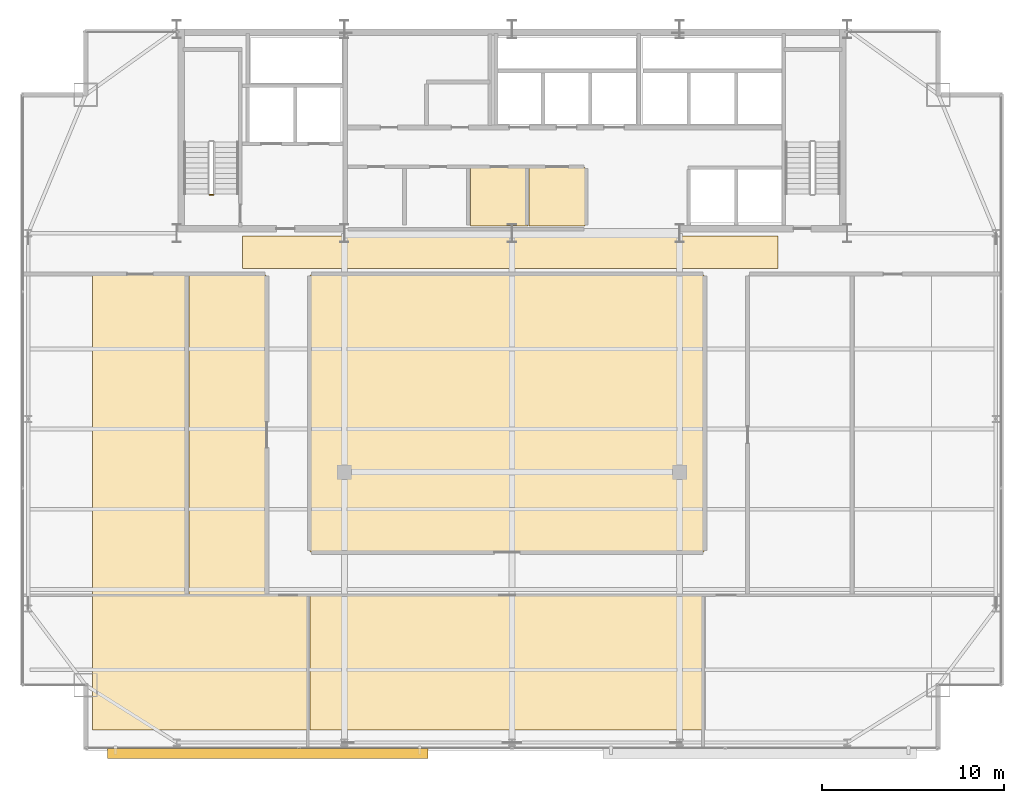
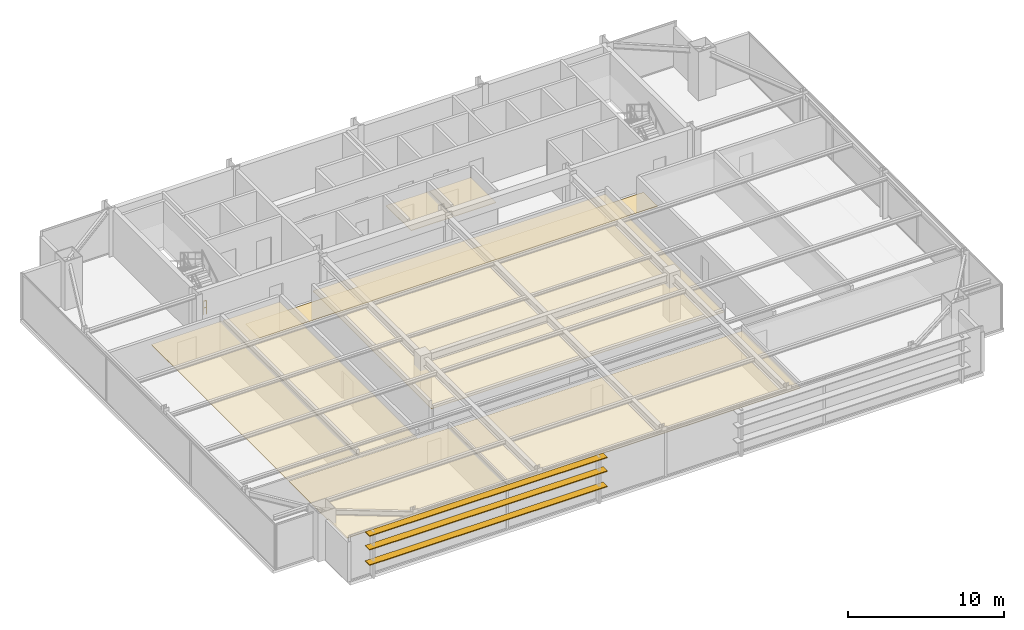
# One storey, part 28 of 29: 8 coverings, 3 shading devices, 1 railing.
"""IFC4 building model written with IfcOpenShell, lengths in metres."""

from ifc_helpers import new_model, si_unit, direction, frame, origin, origin_2d, place, context, subcontext, project, spatial, polyline, rectangle, outline, extrude, source, transform, mapped, material, layer, layer_set, type_object, type_shapes, element, save


model = new_model("IFC4")

# Units and contexts
model_context = context("Model", 3, precision=1e-05, world=origin(), true_north=direction((0.0, 1.0)))
body_context = subcontext(model_context, "Body", "Model", "MODEL_VIEW")
ifc_project = project(units=[si_unit("LENGTHUNIT", "METRE"), si_unit("AREAUNIT", "SQUARE_METRE"), si_unit("VOLUMEUNIT", "CUBIC_METRE"), si_unit("PLANEANGLEUNIT", "RADIAN"), si_unit("MASSUNIT", "GRAM", prefix="KILO")], contexts=[model_context])

# Site, building, storey
site_placement = place(None, origin())
site = spatial("IfcSite", under=ifc_project, at=site_placement, CompositionType="ELEMENT")
building_placement = place(site_placement, origin())
building = spatial("IfcBuilding", under=site, at=building_placement, Name="Varnel Quay Broadcast Tower", CompositionType="ELEMENT")
storey_placement = place(building_placement, frame((0.0, 0.0, 172.39990234375)))
storey = spatial("IfcBuildingStorey", under=building, at=storey_placement, Name="L42", CompositionType="ELEMENT", Elevation=172.39990234375)

# Coverings
ifc_material_1 = material(Name="Micro-Perforated Acoustic Ceiling Tile")
ifc_layer_1 = layer(ifc_material_1, 0.0400390625, Name="Micro-Perforated Acoustic Ceiling Tile")
ifc_layer_set_1 = layer_set([ifc_layer_1], Name="Micro-Perforated Acoustic Ceiling Tile")
covering_type_1 = type_object("IfcCoveringType", Name="Cov_AcousticCeiling", PredefinedType="CEILING", material=ifc_layer_set_1)
covering_1_placement = place(storey_placement, frame((0.0, 0.0, 2.580078125)))
element("IfcCovering", 1, at=covering_1_placement, inside=storey, type_object=covering_type_1, Name="L42 Broadcast First-Aid & Quiet Room Acoustic Ceiling", PredefinedType="CEILING", context=body_context, shape_type="SweptSolid", body=[
    extrude(outline(polyline([(31.735107421875, 35.985107421875), (34.864990234375, 35.985107421875), (34.864990234375, 39.215087890625), (31.735107421875, 39.215087890625), (31.735107421875, 35.985107421875)])), origin(), (0.0, 0.0, 1.0), 0.0400390625),
])
covering_2_placement = place(storey_placement, frame((0.0, 0.0, 2.580078125)))
element("IfcCovering", 2, at=covering_2_placement, inside=storey, type_object=covering_type_1, Name="L42 Zone Lighting Dimmer Room Acoustic Ceiling", PredefinedType="CEILING", context=body_context, shape_type="SweptSolid", body=[
    extrude(outline(polyline([(34.93505859375, 35.985107421875), (38.014892578125, 35.985107421875), (38.014892578125, 39.215087890625), (34.93505859375, 39.215087890625), (34.93505859375, 35.985107421875)])), origin(), (0.0, 0.0, 1.0), 0.0400390625),
])
covering_3_placement = place(storey_placement, frame((0.0, 0.0, 2.580078125)))
element("IfcCovering", 3, at=covering_3_placement, inside=storey, type_object=covering_type_1, Name="L42 Talent Lounge 1 Acoustic Ceiling", PredefinedType="CEILING", context=body_context, shape_type="SweptSolid", body=[
    extrude(outline(polyline([(10.985107421875, 8.324951171875), (22.85498046875, 8.324951171875), (22.85498046875, 15.695068359375), (10.985107421875, 15.695068359375), (10.985107421875, 8.324951171875)])), origin(), (0.0, 0.0, 1.0), 0.0400390625),
])
covering_4_placement = place(storey_placement, frame((0.0, 0.0, 2.580078125)))
element("IfcCovering", 4, at=covering_4_placement, inside=storey, type_object=covering_type_1, Name="L42 Pantry Niche 2 Acoustic Ceiling", PredefinedType="CEILING", context=body_context, shape_type="SweptSolid", body=[
    extrude(outline(polyline([(22.925048828125, 8.324951171875), (44.544921875, 8.324951171875), (44.544921875, 15.695068359375), (22.925048828125, 15.695068359375), (22.925048828125, 8.324951171875)])), origin(), (0.0, 0.0, 1.0), 0.0400390625),
])
covering_5_placement = place(storey_placement, frame((0.0, 0.0, 2.580078125)))
element("IfcCovering", 5, at=covering_5_placement, inside=storey, type_object=covering_type_1, Name="L42 Podcast Recording Studio 4 Acoustic Ceiling", PredefinedType="CEILING", context=body_context, shape_type="SweptSolid", body=[
    extrude(outline(polyline([(10.985107421875, 15.764892578125), (16.205078125, 15.764892578125), (16.205078125, 33.31494140625), (10.985107421875, 33.31494140625), (10.985107421875, 15.764892578125)])), origin(), (0.0, 0.0, 1.0), 0.0400390625),
])
covering_6_placement = place(storey_placement, frame((0.0, 0.0, 2.580078125)))
element("IfcCovering", 6, at=covering_6_placement, inside=storey, type_object=covering_type_1, Name="L42 Foley Sound Studio 5 Acoustic Ceiling", PredefinedType="CEILING", context=body_context, shape_type="SweptSolid", body=[
    extrude(outline(polyline([(16.27490234375, 15.764892578125), (20.5048828125, 15.764892578125), (20.5048828125, 33.31494140625), (16.27490234375, 33.31494140625), (16.27490234375, 15.764892578125)])), origin(), (0.0, 0.0, 1.0), 0.0400390625),
])
covering_7_placement = place(storey_placement, frame((0.0, 0.0, 2.580078125)))
element("IfcCovering", 7, at=covering_7_placement, inside=storey, type_object=covering_type_1, Name="L42 Voice Booth 6 Acoustic Ceiling", PredefinedType="CEILING", context=body_context, shape_type="SweptSolid", body=[
    extrude(outline(polyline([(22.925048828125, 18.114990234375), (44.544921875, 18.114990234375), (44.544921875, 33.31494140625), (22.925048828125, 33.31494140625), (22.925048828125, 18.114990234375)])), origin(), (0.0, 0.0, 1.0), 0.0400390625),
])
ifc_material_2 = material(Name="Polished Terrazzo & Broadcast Raised Flooring")
ifc_layer_2 = layer(ifc_material_2, 0.0400390625, Name="Polished Terrazzo & Broadcast Raised Flooring")
ifc_layer_set_2 = layer_set([ifc_layer_2], Name="Polished Terrazzo & Broadcast Raised Flooring")
covering_type_2 = type_object("IfcCoveringType", Name="Cov_TerrazzoFloor", PredefinedType="FLOORING", material=ifc_layer_set_2)
covering_8_placement = place(storey_placement, origin())
element("IfcCovering", 8, at=covering_8_placement, inside=storey, type_object=covering_type_2, Name="L42 Corridor Terrazzo Flooring", PredefinedType="FLOORING", context=body_context, shape_type="SweptSolid", body=[
    extrude(outline(polyline([(19.199951171875, 33.64990234375), (48.60009765625, 33.64990234375), (48.60009765625, 35.449951171875), (19.199951171875, 35.449951171875), (19.199951171875, 33.64990234375)])), origin(), (0.0, 0.0, 1.0), 0.0400390625),
])

# Railing
ifc_material_3 = material(Name="Painted Steel Guard and Handrail CSA G40.21 350W", Category="steel")
railing_type = type_object("IfcRailingType", Name="Rail_StairGuard1100", PredefinedType="GUARDRAIL", material=ifc_material_3)
railing_placement = place(storey_placement, frame((17.60009765625, 37.699951171875, 0.0)))
element("IfcRailing", 9, at=railing_placement, inside=storey, type_object=railing_type, Name="L42 ST-01 stair guard 4", PredefinedType="GUARDRAIL", context=body_context, shape_type="SweptSolid", body=[
    extrude(rectangle(XDim=0.048095703125, YDim=0.048095703125, at=origin_2d()), frame((0.0, 0.0, 1.076171875), z_axis=(-1.0, 0.0, 0.0), x_axis=(0.0, -1.0, 0.0)), (0.0, 0.0, 1.0), 0.2001953125),
    extrude(rectangle(XDim=0.048095703125, YDim=0.048095703125, at=origin_2d()), frame((0.0, 0.0, 0.550048828125), z_axis=(-1.0, 0.0, 0.0), x_axis=(0.0, -1.0, 0.0)), (0.0, 0.0, 1.0), 0.2001953125),
    extrude(rectangle(XDim=0.0419921875, YDim=0.0419921875, at=origin_2d()), origin(), (0.0, 0.0, 1.0), 1.052001953125),
    extrude(rectangle(XDim=0.0419921875, YDim=0.0419921875, at=origin_2d()), frame((-0.2001953125, 0.0, 0.0)), (0.0, 0.0, 1.0), 1.052001953125),
])

# Shading devices
ifc_material_4 = material(Name="Bronze-Terracotta Extruded Ceramic Blade", Category="masonry")
ifc_layer_3 = layer(ifc_material_4, 0.06494140625, Name="Bronze-Terracotta Extruded Ceramic Blade")
ifc_layer_set_3 = layer_set([ifc_layer_3], Name="Bronze-Terracotta Extruded Ceramic Blade")
shading_device_type = type_object("IfcShadingDeviceType", Name="Shade_LouvreBlade550", PredefinedType="JALOUSIE", material=ifc_layer_set_3)
shared_shape = source(origin(), body_context, "Body", "SweptSolid", [
    extrude(rectangle(XDim=17.5869140625, YDim=0.550048828125, at=origin_2d()), origin(), (0.0, 0.0, 1.0), 0.06494140625),
])
type_shapes(shading_device_type, [shared_shape])
for number, where, z_axis, x_axis, name in (
    (10, (20.593017578125, 7.06005859375, 1.11767578125), (0.0, 0.0, 1.0), (1.0, 0.0, 0.0), "L42 Lobe 1 Horizontal Louvre Blade 1"),
    (11, (20.593017578125, 7.06005859375, 2.317626953125), (0.0, 0.0, 1.0), (1.0, 0.0, 0.0), "L42 Lobe 1 Horizontal Louvre Blade 2"),
    (12, (20.593017578125, 7.06005859375, 3.3876953125), (0.0, 0.0, 1.0), (1.0, 0.0, 0.0), "L42 Lobe 1 Horizontal Louvre Blade 3"),
):
    element("IfcShadingDevice", number, at=place(storey_placement, frame(where, z_axis=z_axis, x_axis=x_axis)), inside=storey, type_object=shading_device_type, Name=name, PredefinedType="JALOUSIE", context=body_context, shape_type="MappedRepresentation", body=[
        mapped(shared_shape, transform((0.0, 0.0, 0.0), x_axis=(1.0, 0.0, 0.0), y_axis=(0.0, 1.0, 0.0), z_axis=(0.0, 0.0, 1.0), scale=1.0)),
    ])

save(model, "model.ifc")
